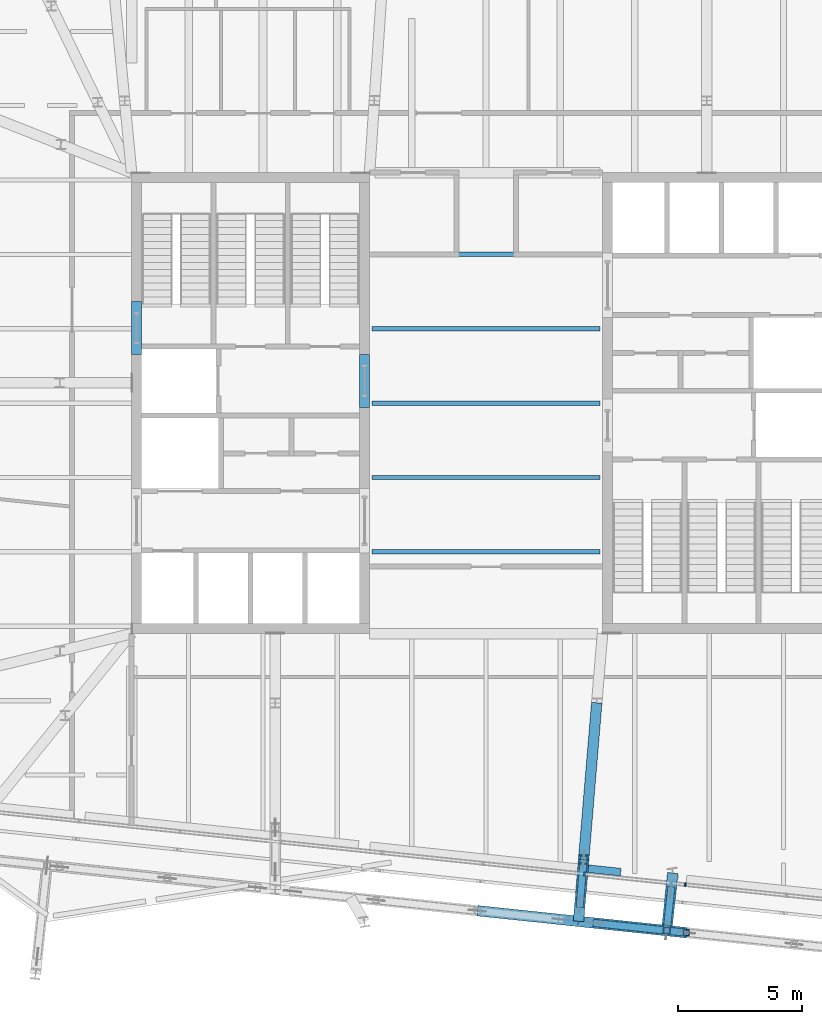
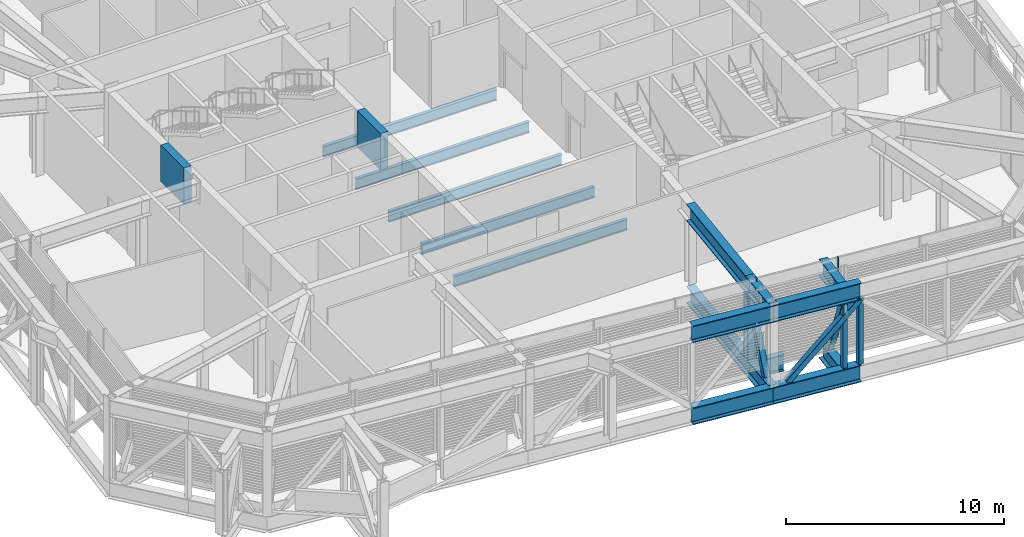
# One storey, part 8 of 36: 18 beams, 8 members, 1 element without a shape of its own.
"""IFC4 building model written with IfcOpenShell, lengths in metres."""

from ifc_helpers import new_model, si_unit, direction, frame, origin, origin_2d, place, context, subcontext, project, spatial, rectangle, hollow_rectangle, i_section, extrude, material, layer, layer_set, material_profile, profile_set, type_object, element, aggregate, save


model = new_model("IFC4")

# Units and contexts
model_context = context("Model", 3, precision=1e-05, world=origin(), true_north=direction((0.0, 1.0)))
body_context = subcontext(model_context, "Body", "Model", "MODEL_VIEW")
ifc_project = project(units=[si_unit("LENGTHUNIT", "METRE"), si_unit("AREAUNIT", "SQUARE_METRE"), si_unit("VOLUMEUNIT", "CUBIC_METRE"), si_unit("PLANEANGLEUNIT", "RADIAN"), si_unit("MASSUNIT", "GRAM", prefix="KILO")], contexts=[model_context])

# Site, building, storey
site_placement = place(None, origin())
site = spatial("IfcSite", under=ifc_project, at=site_placement, CompositionType="ELEMENT")
building_placement = place(site_placement, origin())
building = spatial("IfcBuilding", under=site, at=building_placement, Name="Millrace Tower", CompositionType="ELEMENT")
storey_placement = place(building_placement, frame((0.0, 0.0, 271.39990234375)))
storey = spatial("IfcBuildingStorey", under=building, at=storey_placement, Name="L62", CompositionType="ELEMENT", Elevation=271.39990234375)

# Curtain wall, members
ifc_material_1 = material(Name="Aluminium and glass", Category="aluminium")
ifc_layer = layer(ifc_material_1, 0.14990234375)
ifc_layer_set = layer_set([ifc_layer], Name="Aluminium and glass")
curtain_wall_type = type_object("IfcCurtainWallType", Name="CW-5 truss and plant storey louvred infill", PredefinedType="NOTDEFINED", material=ifc_layer_set)
curtain_wall_placement = place(storey_placement, origin())
curtain_wall = element("IfcCurtainWall", 1, at=curtain_wall_placement, inside=storey, type_object=curtain_wall_type, Name="Curtain wall E-F02 L62", PredefinedType="NOTDEFINED")
ifc_material_2 = material(Name="Aluminium", Category="aluminium")
ifc_material_profile_1 = material_profile(ifc_material_2, rectangle(XDim=0.06494140625, YDim=0.14990234375, at=origin_2d()))
ifc_profile_set_1 = profile_set([ifc_material_profile_1], Name="Aluminium")
member_type_1 = type_object("IfcMemberType", Name="CW-5 truss and plant storey louvred infill mullion", PredefinedType="MULLION", material=ifc_profile_set_1)
member_1_placement = place(storey_placement, frame((3.962890625, -18.99609375, 0.14013671875), z_axis=(0.0, 0.0, 1.0), x_axis=(0.994521896217, -0.104528455196, 0.0)))
member_1 = element("IfcMember", 2, at=member_1_placement, type_object=member_type_1, Name="CW5 mullion E-F02.7", PredefinedType="MULLION", context=body_context, shape_type="SweptSolid", body=[
    extrude(rectangle(XDim=0.06494140625, YDim=0.14990234375, at=origin_2d()), origin(), (0.0, 0.0, 1.0), 4.4599609375),
])
member_2_placement = place(storey_placement, frame((8.040283203125, -19.4248046875, 0.14013671875), z_axis=(0.0, 0.0, 1.0), x_axis=(0.994521896217, -0.104528455196, 0.0)))
member_2 = element("IfcMember", 3, at=member_2_placement, type_object=member_type_1, Name="CW5 mullion E-F02.8", PredefinedType="MULLION", context=body_context, shape_type="SweptSolid", body=[
    extrude(rectangle(XDim=0.06494140625, YDim=0.14990234375, at=origin_2d()), origin(), (0.0, 0.0, 1.0), 4.4599609375),
])
aggregate(curtain_wall, [member_1, member_2])

# Beams
ifc_material_3 = material(Name="Concrete C60", Category="concrete")
ifc_material_profile_2 = material_profile(ifc_material_3, rectangle(XDim=0.39990234375, YDim=2.0400390625, at=origin_2d()))
ifc_profile_set_2 = profile_set([ifc_material_profile_2], Name="Concrete C60")
beam_type_1 = type_object("IfcBeamType", Name="Coupling beam 400 x 2040 Concrete C60, 1300 opening", PredefinedType="BEAM", material=ifc_profile_set_2)
beam_1_placement = place(storey_placement, frame((-14.10009765625, 1.958984375, 3.420166015625), z_axis=(0.0, 1.0, 0.0), x_axis=(-1.0, 0.0, 0.0)))
element("IfcBeam", 4, at=beam_1_placement, inside=storey, type_object=beam_type_1, Name="Coupling beam W L62", PredefinedType="BEAM", context=body_context, shape_type="SweptSolid", body=[
    extrude(rectangle(XDim=0.39990234375, YDim=2.0400390625, at=origin_2d()), origin(), (0.0, 0.0, 1.0), 2.14208984375),
])
beam_2_placement = place(storey_placement, frame((-4.89990234375, -0.1708984375, 3.420166015625), z_axis=(0.0, 1.0, 0.0), x_axis=(-1.0, 0.0, 0.0)))
element("IfcBeam", 5, at=beam_2_placement, inside=storey, type_object=beam_type_1, Name="Coupling beam W L62", PredefinedType="BEAM", context=body_context, shape_type="SweptSolid", body=[
    extrude(rectangle(XDim=0.39990234375, YDim=2.0400390625, at=origin_2d()), origin(), (0.0, 0.0, 1.0), 2.141845703125),
])
ifc_material_4 = material(Name="Steel ASTM A992 Grade 50", Category="steel")
ifc_material_profile_3 = material_profile(ifc_material_4, i_section(OverallWidth=0.177978515625, OverallDepth=0.599365234375, WebThickness=0.010009765625, FlangeThickness=0.012939453125, FilletRadius=0.012939453125, at=origin_2d()))
ifc_profile_set_3 = profile_set([ifc_material_profile_3], Name="Steel ASTM A992 Grade 50")
beam_type_2 = type_object("IfcBeamType", Name="Floor beam W24x55", PredefinedType="JOIST", material=ifc_profile_set_3)
for number, where, z_axis, x_axis, name in (
    (6, (-4.60009765625, -6.0, -0.459716796875), (1.0, 0.0, 0.0), (0.0, 1.0, 0.0), "BM-E-L62-S1-S008"),
    (7, (-4.60009765625, -3.0, -0.459716796875), (1.0, 0.0, 0.0), (0.0, 1.0, 0.0), "BM-E-L62-S1-S011"),
    (8, (-4.60009765625, 0.0, -0.459716796875), (1.0, 0.0, 0.0), (0.0, 1.0, 0.0), "BM-E-L62-S1-S014"),
    (9, (-4.60009765625, 3.0, -0.459716796875), (1.0, 0.0, 0.0), (0.0, 1.0, 0.0), "BM-E-L62-S1-S017"),
    (10, (-4.60009765625, 6.0, -0.459716796875), (1.0, 0.0, 0.0), (0.0, 1.0, 0.0), "BM-E-L62-S1-S020"),
):
    element("IfcBeam", number, at=place(storey_placement, frame(where, z_axis=z_axis, x_axis=x_axis)), inside=storey, type_object=beam_type_2, Name=name, PredefinedType="JOIST", context=body_context, shape_type="SweptSolid", body=[
        extrude(i_section(OverallWidth=0.177978515625, OverallDepth=0.599365234375, WebThickness=0.010009765625, FlangeThickness=0.012939453125, FilletRadius=0.012939453125, at=origin_2d()), origin(), (0.0, 0.0, 1.0), 9.2001953125),
    ])
ifc_material_5 = material(Name="Steel ASTM A992 Grade 50", Category="steel")
ifc_material_profile_4 = material_profile(ifc_material_5, i_section(OverallWidth=0.307373046875, OverallDepth=0.927001953125, WebThickness=0.01953125, FlangeThickness=0.031982421875, FilletRadius=0.01904296875, at=origin_2d()))
ifc_profile_set_4 = profile_set([ifc_material_profile_4], Name="Steel ASTM A992 Grade 50")
beam_type_3 = type_object("IfcBeamType", Name="Ring beam short span W36x194", PredefinedType="SPANDREL", material=ifc_profile_set_4)
beam_3_placement = place(storey_placement, frame((5.43408203125, -18.9208984375, -0.62353515625), z_axis=(-0.994519613929, 0.104550167438, 0.0), x_axis=(-0.104550167438, -0.994519613929, 0.0)))
element("IfcBeam", 11, at=beam_3_placement, inside=storey, type_object=beam_type_3, Name="RNG-E-L62-S1-13-b", PredefinedType="SPANDREL", context=body_context, shape_type="SweptSolid", body=[
    extrude(i_section(OverallWidth=0.307373046875, OverallDepth=0.927001953125, WebThickness=0.01953125, FlangeThickness=0.031982421875, FilletRadius=0.01904296875, at=origin_2d()), origin(), (0.0, 0.0, 1.0), 1.32177734375),
])

# Member
ifc_material_6 = material(Name="Steel ASTM A992 Grade 50", Category="steel")
ifc_material_profile_5 = material_profile(ifc_material_6, i_section(OverallWidth=0.4013671875, OverallDepth=0.398681640625, WebThickness=0.02490234375, FlangeThickness=0.03955078125, FilletRadius=0.01513671875, at=origin_2d()))
ifc_profile_set_5 = profile_set([ifc_material_profile_5], Name="Steel ASTM A992 Grade 50")
member_type_2 = type_object("IfcMemberType", Name="Transfer truss Vierendeel moment post W14x211", PredefinedType="POST", material=ifc_profile_set_5)
member_3_placement = place(storey_placement, frame((3.9375, -18.416015625, -0.159912109375), z_axis=(0.0, 0.0, 1.0), x_axis=(1.0, 0.0, 0.0)))
element("IfcMember", 12, at=member_3_placement, inside=storey, type_object=member_type_2, Name="TRS-L62-C04-V01", PredefinedType="POST", context=body_context, shape_type="SweptSolid", body=[
    extrude(i_section(OverallWidth=0.4013671875, OverallDepth=0.398681640625, WebThickness=0.02490234375, FlangeThickness=0.03955078125, FilletRadius=0.01513671875, at=origin_2d()), origin(), (0.0, 0.0, 1.0), 3.652587890625),
])

# Beams
ifc_material_7 = material(Name="Steel ASTM A992 Grade 50", Category="steel")
ifc_material_profile_6 = material_profile(ifc_material_7, i_section(OverallWidth=0.424072265625, OverallDepth=0.947509765625, WebThickness=0.02392578125, FlangeThickness=0.042724609375, FilletRadius=0.024169921875, at=origin_2d()))
ifc_profile_set_6 = profile_set([ifc_material_profile_6], Name="Steel ASTM A992 Grade 50")
beam_type_4 = type_object("IfcBeamType", Name="Transfer truss chord W36x302", PredefinedType="BEAM", material=ifc_profile_set_6)
for number, where, z_axis, x_axis, name in (
    (13, (-0.348388671875, -20.478759765625, -0.633544921875), (0.994524686351, -0.104501905433, 0.0), (0.104501905433, 0.994524686351, 0.0), "TRS-L62-R03-B03"),
    (14, (-0.348388671875, -20.478759765625, 3.96630859375), (0.994524686351, -0.104501905433, 0.0), (0.104501905433, 0.994524686351, 0.0), "TRS-L62-R03-T03"),
):
    element("IfcBeam", number, at=place(storey_placement, frame(where, z_axis=z_axis, x_axis=x_axis)), inside=storey, type_object=beam_type_4, Name=name, PredefinedType="BEAM", context=body_context, shape_type="SweptSolid", body=[
        extrude(i_section(OverallWidth=0.424072265625, OverallDepth=0.947509765625, WebThickness=0.02392578125, FlangeThickness=0.042724609375, FilletRadius=0.024169921875, at=origin_2d()), origin(), (0.0, 0.0, 1.0), 4.10009765625),
    ])
for number, where, z_axis, x_axis, name in (
    (15, (3.729248046875, -20.9072265625, -0.633544921875), (0.994519506184, -0.104551192336, 0.0), (0.104551192336, 0.994519506184, 0.0), "TRS-L62-R04-B01"),
    (16, (3.729248046875, -20.9072265625, 3.96630859375), (0.994519506184, -0.104551192336, 0.0), (0.104551192336, 0.994519506184, 0.0), "TRS-L62-R04-T01"),
):
    element("IfcBeam", number, at=place(storey_placement, frame(where, z_axis=z_axis, x_axis=x_axis)), inside=storey, type_object=beam_type_4, Name=name, PredefinedType="BEAM", context=body_context, shape_type="SweptSolid", body=[
        extrude(i_section(OverallWidth=0.424072265625, OverallDepth=0.947509765625, WebThickness=0.02392578125, FlangeThickness=0.042724609375, FilletRadius=0.024169921875, at=origin_2d()), origin(), (0.0, 0.0, 1.0), 4.3759765625),
    ])
for number, where, z_axis, x_axis, name in (
    (17, (3.729248046875, -20.9072265625, -0.633544921875), (0.083304108075, 0.996524172099, 0.0), (-0.996524172099, 0.083304108075, 0.0), "TRS-L62-C04-B01"),
    (18, (3.729248046875, -20.9072265625, 3.96630859375), (0.083304108075, 0.996524172099, 0.0), (-0.996524172099, 0.083304108075, 0.0), "TRS-L62-C04-T01"),
):
    element("IfcBeam", number, at=place(storey_placement, frame(where, z_axis=z_axis, x_axis=x_axis)), inside=storey, type_object=beam_type_4, Name=name, PredefinedType="BEAM", context=body_context, shape_type="SweptSolid", body=[
        extrude(i_section(OverallWidth=0.424072265625, OverallDepth=0.947509765625, WebThickness=0.02392578125, FlangeThickness=0.042724609375, FilletRadius=0.024169921875, at=origin_2d()), origin(), (0.0, 0.0, 1.0), 2.5),
    ])
for number, where, z_axis, x_axis, name in (
    (19, (3.9375, -18.416015625, -0.633544921875), (0.083344675046, 0.996520780085, 0.0), (-0.996520780085, 0.083344675046, 0.0), "TRS-L62-C04-B02"),
    (20, (3.9375, -18.416015625, 3.96630859375), (0.083344675046, 0.996520780085, 0.0), (-0.996520780085, 0.083344675046, 0.0), "TRS-L62-C04-T02"),
):
    element("IfcBeam", number, at=place(storey_placement, frame(where, z_axis=z_axis, x_axis=x_axis)), inside=storey, type_object=beam_type_4, Name=name, PredefinedType="BEAM", context=body_context, shape_type="SweptSolid", body=[
        extrude(i_section(OverallWidth=0.424072265625, OverallDepth=0.947509765625, WebThickness=0.02392578125, FlangeThickness=0.042724609375, FilletRadius=0.024169921875, at=origin_2d()), origin(), (0.0, 0.0, 1.0), 6.34765625),
    ])
for number, where, z_axis, x_axis, name in (
    (21, (7.533203125, -18.956787109375, -0.633544921875), (-0.10452931889, -0.994521805438, 0.0), (0.994521805438, -0.10452931889, 0.0), "TRS-L62-B-D-X04-B01"),
    (22, (7.533203125, -18.956787109375, 3.96630859375), (-0.10452931889, -0.994521805438, 0.0), (0.994521805438, -0.10452931889, 0.0), "TRS-L62-B-D-X04-T01"),
):
    element("IfcBeam", number, at=place(storey_placement, frame(where, z_axis=z_axis, x_axis=x_axis)), inside=storey, type_object=beam_type_4, Name=name, PredefinedType="BEAM", context=body_context, shape_type="SweptSolid", body=[
        extrude(i_section(OverallWidth=0.424072265625, OverallDepth=0.947509765625, WebThickness=0.02392578125, FlangeThickness=0.042724609375, FilletRadius=0.024169921875, at=origin_2d()), origin(), (0.0, 0.0, 1.0), 2.12548828125),
    ])

# Members
ifc_material_8 = material(Name="Steel ASTM A500 Grade C", Category="steel")
ifc_material_profile_7 = material_profile(ifc_material_8, hollow_rectangle(XDim=0.3046875, YDim=0.3046875, WallThickness=0.0126953125, InnerFilletRadius=0.00634765625, OuterFilletRadius=0.01904296875, at=origin_2d()))
ifc_profile_set_7 = profile_set([ifc_material_profile_7], Name="Steel ASTM A500 Grade C")
member_type_3 = type_object("IfcMemberType", Name="Transfer truss diagonal HSS12x12x1/2", PredefinedType="BRACE", material=ifc_profile_set_7)
member_4_placement = place(storey_placement, frame((4.42529296875, -20.98046875, -0.159912109375), z_axis=(0.705489731102, -0.074152977413, 0.704830174759), x_axis=(0.104532672253, 0.994521452977, 0.0)))
element("IfcMember", 23, at=member_4_placement, inside=storey, type_object=member_type_3, Name="TRS-L62-R04-D01", PredefinedType="BRACE", context=body_context, shape_type="SweptSolid", body=[
    extrude(hollow_rectangle(XDim=0.3046875, YDim=0.3046875, WallThickness=0.0126953125, InnerFilletRadius=0.00634765625, OuterFilletRadius=0.01904296875, at=origin_2d()), origin(), (0.0, 0.0, 1.0), 5.18212890625),
])
member_5_placement = place(storey_placement, frame((3.78759765625, -20.209716796875, -0.159912109375), z_axis=(0.036812898498, 0.440495708906, 0.896999632631), x_axis=(-0.996526086365, 0.08328120553, 0.0)))
element("IfcMember", 24, at=member_5_placement, inside=storey, type_object=member_type_3, Name="TRS-L62-C04-D01", PredefinedType="BRACE", context=body_context, shape_type="SweptSolid", body=[
    extrude(hollow_rectangle(XDim=0.3046875, YDim=0.3046875, WallThickness=0.0126953125, InnerFilletRadius=0.00634765625, OuterFilletRadius=0.01904296875, at=origin_2d()), origin(), (0.0, 0.0, 1.0), 4.072021484375),
])
member_6_placement = place(storey_placement, frame((7.460205078125, -19.65283203125, -0.159912109375), z_axis=(-0.042754620813, -0.406870293068, 0.912484853035), x_axis=(0.994524225287, -0.104506293198, 0.0)))
element("IfcMember", 25, at=member_6_placement, inside=storey, type_object=member_type_3, Name="TRS-L62-B-D-X04-D01", PredefinedType="BRACE", context=body_context, shape_type="SweptSolid", body=[
    extrude(hollow_rectangle(XDim=0.3046875, YDim=0.3046875, WallThickness=0.0126953125, InnerFilletRadius=0.00634765625, OuterFilletRadius=0.01904296875, at=origin_2d()), origin(), (0.0, 0.0, 1.0), 4.0029296875),
])
ifc_material_9 = material(Name="Steel ASTM A500 Grade C", Category="steel")
ifc_material_profile_8 = material_profile(ifc_material_9, hollow_rectangle(XDim=0.25390625, YDim=0.25390625, WallThickness=0.0126953125, InnerFilletRadius=0.00634765625, OuterFilletRadius=0.01904296875, at=origin_2d()))
ifc_profile_set_8 = profile_set([ifc_material_profile_8], Name="Steel ASTM A500 Grade C")
member_type_4 = type_object("IfcMemberType", Name="Transfer truss post HSS10x10x1/2", PredefinedType="POST", material=ifc_profile_set_8)
for number, where, z_axis, x_axis, name in (
    (26, (8.081298828125, -21.36474609375, -0.159912109375), (0.0, 0.0, 1.0), (1.0, 0.0, 0.0), "TRS-L62-R04-V01"),
    (27, (7.2890625, -21.281494140625, -0.159912109375), (0.0, 0.0, 1.0), (1.0, 0.0, 0.0), "TRS-L62-B-D-X04-V01"),
):
    element("IfcMember", number, at=place(storey_placement, frame(where, z_axis=z_axis, x_axis=x_axis)), inside=storey, type_object=member_type_4, Name=name, PredefinedType="POST", context=body_context, shape_type="SweptSolid", body=[
        extrude(hollow_rectangle(XDim=0.25390625, YDim=0.25390625, WallThickness=0.0126953125, InnerFilletRadius=0.00634765625, OuterFilletRadius=0.01904296875, at=origin_2d()), origin(), (0.0, 0.0, 1.0), 3.652587890625),
    ])

save(model, "model.ifc")
